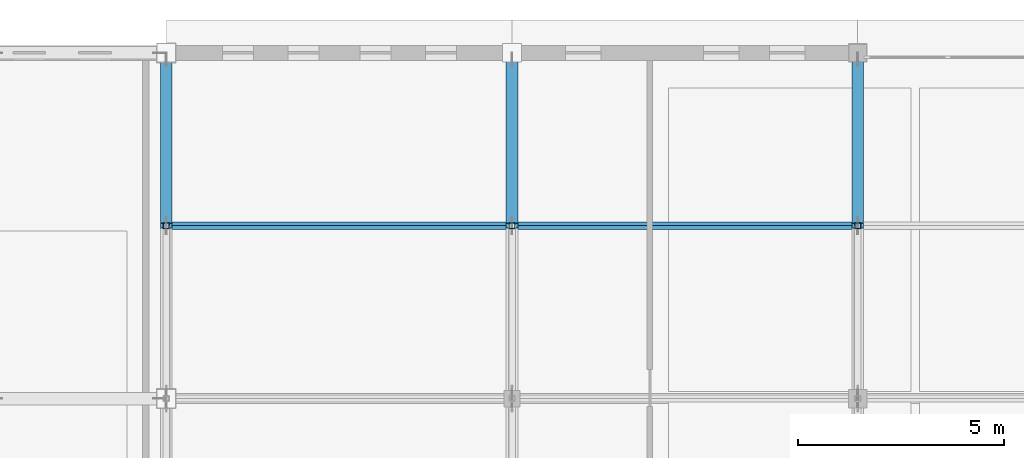
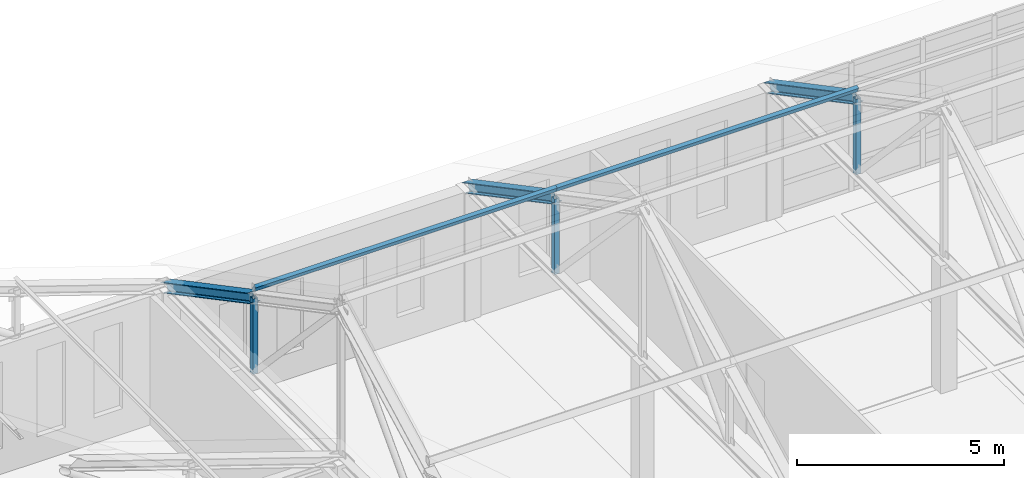
# One storey, part 25 of 56: 8 members.
"""IFC4 building model written with IfcOpenShell, lengths in metres."""

import ifcopenshell
import ifcopenshell.guid

model = None  # the IFC model being written
_history = None  # IfcOwnerHistory: only IFC2X3 demands one
_inside = {}  # id of a spatial element -> (the spatial element, [elements in it])
_under = {}  # id of a project, library or spatial element -> (it, [spatial elements below it])
_declared = {}  # id of a project -> (the project, [libraries it declares])
_typed = {}  # id of a type object -> (the type object, [elements of that type])
_made_of = {}  # id of a material, layer set ... -> (it, [elements and type objects made of it])


def new_model(schema):
    """Start an empty IFC model of exactly this schema.

    Asked for "IFC4X3", IfcOpenShell would pick the latest addendum, in which some entities
    have other attributes; the version numbers below select the first issue.
    IFC2X3 requires an IfcOwnerHistory on every rooted entity: one is made here for all.
    """
    global model, _history
    if schema == "IFC4X3":
        model = ifcopenshell.file(schema_version=(4, 3, 0, 0))
    else:
        model = ifcopenshell.file(schema=schema)
    _inside.clear()
    _under.clear()
    _declared.clear()
    _typed.clear()
    _made_of.clear()
    _history = None
    if model.schema == "IFC2X3":
        org = make("IfcOrganization", Name="unknown")
        user = make(
            "IfcPersonAndOrganization",
            ThePerson=make("IfcPerson", FamilyName="unknown"),
            TheOrganization=org,
        )
        app = make(
            "IfcApplication",
            ApplicationDeveloper=org,
            Version="unknown",
            ApplicationFullName="unknown",
            ApplicationIdentifier="unknown",
        )
        _history = make(
            "IfcOwnerHistory",
            OwningUser=user,
            OwningApplication=app,
            ChangeAction="ADDED",
            CreationDate=0,
        )
    return model


def make(cls, **values):
    """One entity of the class cls with the attributes given. An attribute that is None is left unset."""
    return model.create_entity(
        cls, **{name: value for name, value in values.items() if value is not None}
    )


def rooted(cls, **values):
    """An entity with a GlobalId (a new one), such as an element, a storey or a relation."""
    return make(cls, GlobalId=ifcopenshell.guid.new(), OwnerHistory=_history, **values)


def si_unit(unit_type, name, prefix=None):
    """IfcSIUnit, for example si_unit("LENGTHUNIT", "METRE", prefix="MILLI")."""
    return make("IfcSIUnit", UnitType=unit_type, Prefix=prefix, Name=name)


def assignment(units):
    """IfcUnitAssignment: the units of a project."""
    return None if units is None else make("IfcUnitAssignment", Units=units)


def point(xyz):
    """IfcCartesianPoint."""
    return None if xyz is None else make("IfcCartesianPoint", Coordinates=xyz)


def direction(xyz):
    """IfcDirection."""
    return None if xyz is None else make("IfcDirection", DirectionRatios=xyz)


def frame(location, z_axis=None, x_axis=None):
    """IfcAxis2Placement3D, a coordinate frame: its origin and axes. An axis left out is left unset."""
    return make(
        "IfcAxis2Placement3D",
        Location=point(location),
        Axis=direction(z_axis),
        RefDirection=direction(x_axis),
    )


def frame_2d(location, x_axis=None):
    """IfcAxis2Placement2D, a coordinate frame in the plane: its origin and x axis."""
    return make(
        "IfcAxis2Placement2D", Location=point(location), RefDirection=direction(x_axis)
    )


def origin():
    """The frame at (0, 0, 0) with its axes left unset."""
    return frame((0.0, 0.0, 0.0))


def origin_2d():
    """The frame at (0, 0) in the plane with its x axis left unset."""
    return frame_2d((0.0, 0.0))


def place(relative_to, where):
    """IfcLocalPlacement: puts the frame where relative to a parent placement (None: the world)."""
    return make(
        "IfcLocalPlacement", PlacementRelTo=relative_to, RelativePlacement=where
    )


def context(
    kind, dimensions, precision=None, world=None, true_north=None, identifier=None
):
    """IfcGeometricRepresentationContext, for example the 3D "Model" context."""
    return make(
        "IfcGeometricRepresentationContext",
        ContextIdentifier=identifier,
        ContextType=kind,
        CoordinateSpaceDimension=dimensions,
        Precision=precision,
        WorldCoordinateSystem=world,
        TrueNorth=true_north,
    )


def subcontext(parent, identifier, kind, view, scale=None):
    """IfcGeometricRepresentationSubContext, for example "Body" below "Model"."""
    return make(
        "IfcGeometricRepresentationSubContext",
        ContextIdentifier=identifier,
        ContextType=kind,
        ParentContext=parent,
        TargetScale=scale,
        TargetView=view,
    )


def project(units=None, contexts=None):
    """IfcProject with its units and contexts."""
    return rooted(
        "IfcProject",
        Name="project",
        RepresentationContexts=contexts,
        UnitsInContext=assignment(units),
    )


def spatial(cls, under=None, at=None, **own):
    """A site, building, storey or space (cls), placed at a placement, below another one or the project."""
    s = rooted(cls, ObjectPlacement=at, **own)
    if under is not None:
        _under.setdefault(under.id(), (under, []))[1].append(s)
    return s


def profile(cls, at=None, kind="AREA", **sizes):
    """A parametric profile (cls). Its sizes go by their IFC names, for example OverallWidth=200.0."""
    return make(cls, ProfileType=kind, Position=at, **sizes)


def hollow_rectangle(**sizes):
    """IfcRectangleHollowProfileDef."""
    return profile("IfcRectangleHollowProfileDef", **sizes)


def i_section(**sizes):
    """IfcIShapeProfileDef."""
    return profile("IfcIShapeProfileDef", **sizes)


def extrude(swept, where, along, depth):
    """IfcExtrudedAreaSolid: the profile swept, set in the frame where, extruded along a direction by depth."""
    return make(
        "IfcExtrudedAreaSolid",
        SweptArea=swept,
        Position=where,
        ExtrudedDirection=direction(along),
        Depth=depth,
    )


def shape(context_of_items, identifier, shape_type, items):
    """IfcShapeRepresentation: the items that make up one representation, for example the "Body"."""
    return make(
        "IfcShapeRepresentation",
        ContextOfItems=context_of_items,
        RepresentationIdentifier=identifier,
        RepresentationType=shape_type,
        Items=items,
    )


def material(Name=None, Category=None):
    """IfcMaterial."""
    return make("IfcMaterial", Name=Name, Category=Category)


def material_profile(
    of_material, cross_section, Name=None, Category=None, Priority=None
):
    """IfcMaterialProfile: a cross section and its material."""
    return make(
        "IfcMaterialProfile",
        Name=Name,
        Material=of_material,
        Profile=cross_section,
        Priority=Priority,
        Category=Category,
    )


def profile_set(profiles, Name=None, composite=None):
    """IfcMaterialProfileSet."""
    return make(
        "IfcMaterialProfileSet",
        Name=Name,
        MaterialProfiles=profiles,
        CompositeProfile=composite,
    )


def made_of(thing, what):
    """Note that an element or type object is made of a material, layer set ...; save() writes the relation."""
    if what is not None:
        _made_of.setdefault(what.id(), (what, []))[1].append(thing)
    return thing


def type_object(cls, material=None, **own):
    """A type object (cls), such as IfcWallType, which elements share."""
    return made_of(rooted(cls, **own), material)


def element(
    cls,
    number,
    at=None,
    inside=None,
    cuts=None,
    type_object=None,
    material=None,
    context=None,
    identifier="Body",
    shape_type=None,
    held_by="IfcProductDefinitionShape",
    body=None,
    shapes=None,
    **own,
):
    """One element of the class cls, such as IfcWall. Its Tag is "e" and its number.

    at: its placement. inside: the storey or other place that contains it. cuts: it is an
    opening in that element (IfcRelVoidsElement). A single representation is given by context,
    identifier, shape_type and body (its items); several are given by shapes. held_by: the class
    of the entity that holds the representations. save() writes the other relations.
    """
    e = rooted(cls, Tag="e%d" % number, ObjectPlacement=at, **own)
    if body is not None:
        shapes = [shape(context, identifier, shape_type, body)]
    if shapes is not None:
        e.Representation = make(held_by, Representations=shapes)
    if inside is not None:
        _inside.setdefault(inside.id(), (inside, []))[1].append(e)
    if cuts is not None:
        rooted(
            "IfcRelVoidsElement", RelatingBuildingElement=cuts, RelatedOpeningElement=e
        )
    if type_object is not None:
        _typed.setdefault(type_object.id(), (type_object, []))[1].append(e)
    return made_of(e, material)


def aggregate(whole, parts):
    """IfcRelAggregates: a whole, such as a stair, and the parts it consists of."""
    return rooted("IfcRelAggregates", RelatingObject=whole, RelatedObjects=parts)


def save(model, path):
    """Write the relations noted so far, then the file.

    IfcRelAggregates (storeys below a building ...), IfcRelContainedInSpatialStructure (elements
    in a storey), IfcRelDefinesByType, IfcRelAssociatesMaterial and IfcRelDeclares: one each for
    every whole, place, type object, material and project.
    """
    for whole, parts in _under.values():
        aggregate(whole, parts)
    for where, things in _inside.values():
        rooted(
            "IfcRelContainedInSpatialStructure",
            RelatedElements=things,
            RelatingStructure=where,
        )
    for kind, things in _typed.values():
        rooted("IfcRelDefinesByType", RelatedObjects=things, RelatingType=kind)
    for what, things in _made_of.values():
        rooted("IfcRelAssociatesMaterial", RelatedObjects=things, RelatingMaterial=what)
    for by, libraries in _declared.values():
        rooted("IfcRelDeclares", RelatingContext=by, RelatedDefinitions=libraries)
    model.write(path)


model = new_model("IFC4")

# Units and contexts
model_context = context("Model", 3, precision=1e-05, world=origin(), true_north=direction((0.0, 1.0)))
body_context = subcontext(model_context, "Body", "Model", "MODEL_VIEW")
ifc_project = project(units=[si_unit("LENGTHUNIT", "METRE"), si_unit("AREAUNIT", "SQUARE_METRE"), si_unit("VOLUMEUNIT", "CUBIC_METRE"), si_unit("PLANEANGLEUNIT", "RADIAN"), si_unit("MASSUNIT", "GRAM", prefix="KILO")], contexts=[model_context])

# Site, building, storey
site_placement = place(None, origin())
site = spatial("IfcSite", under=ifc_project, at=site_placement, CompositionType="ELEMENT")
building_placement = place(site_placement, origin())
building = spatial("IfcBuilding", under=site, at=building_placement, Name="Kveldsbrygga Polytechnic", CompositionType="ELEMENT")
storey_placement = place(building_placement, frame((0.0, 0.0, 18.02001953125)))
storey = spatial("IfcBuildingStorey", under=building, at=storey_placement, Name="L04", CompositionType="ELEMENT", Elevation=18.02001953125)

# Members
ifc_material = material(Name="Steel S355", Category="steel")
ifc_material_profile_1 = material_profile(ifc_material, hollow_rectangle(XDim=0.10009765625, YDim=0.179931640625, WallThickness=0.008056640625, at=origin_2d()), Name="RHS 180x100x8.0")
ifc_profile_set_1 = profile_set([ifc_material_profile_1], Name="Steel S355")
member_type_1 = type_object("IfcMemberType", Name="PRL-RHS180", PredefinedType="PURLIN", material=ifc_profile_set_1)
member_1_placement = place(storey_placement, frame((126.0, 113.39990234375, 6.265380859375), z_axis=(1.0, 0.0, 0.0), x_axis=(0.0, 0.883660254474, 0.468128779998)))
element("IfcMember", 1, at=member_1_placement, inside=storey, type_object=member_type_1, Name="Roof Purlin V4N5-PRL-1-3", PredefinedType="PURLIN", context=body_context, shape_type="SweptSolid", body=[
    extrude(hollow_rectangle(XDim=0.10009765625, YDim=0.179931640625, WallThickness=0.008056640625, at=origin_2d()), origin(), (0.0, 0.0, 1.0), 8.39990234375),
])
member_2_placement = place(storey_placement, frame((134.39990234375, 113.39990234375, 6.265380859375), z_axis=(1.0, 0.0, 0.0), x_axis=(0.0, 0.883660254474, 0.468128779998)))
element("IfcMember", 2, at=member_2_placement, inside=storey, type_object=member_type_1, Name="Roof Purlin V4N5-PRL-2-3", PredefinedType="PURLIN", context=body_context, shape_type="SweptSolid", body=[
    extrude(hollow_rectangle(XDim=0.10009765625, YDim=0.179931640625, WallThickness=0.008056640625, at=origin_2d()), origin(), (0.0, 0.0, 1.0), 8.400146484375),
])
ifc_material_profile_2 = material_profile(ifc_material, hollow_rectangle(XDim=0.139892578125, YDim=0.139892578125, WallThickness=0.008056640625, at=origin_2d()), Name="SHS 140x140x8.0")
ifc_profile_set_2 = profile_set([ifc_material_profile_2], Name="Steel S355")
member_type_2 = type_object("IfcMemberType", Name="TR-POST-SHS140", PredefinedType="STRUT", material=ifc_profile_set_2)
for number, where, z_axis, x_axis, name in (
    (3, (126.0, 113.39990234375, 3.780029296875), (0.0, 0.0, 1.0), (1.0, 0.0, 0.0), "Truss Vertical V4N5-T01-VT-3"),
    (4, (134.39990234375, 113.39990234375, 3.780029296875), (0.0, 0.0, 1.0), (1.0, 0.0, 0.0), "Truss Vertical V4N5-T02-VT-3"),
    (5, (142.800048828125, 113.39990234375, 3.780029296875), (0.0, 0.0, 1.0), (1.0, 0.0, 0.0), "Truss Vertical V4N5-T03-VT-3"),
):
    element("IfcMember", number, at=place(storey_placement, frame(where, z_axis=z_axis, x_axis=x_axis)), inside=storey, type_object=member_type_2, Name=name, PredefinedType="STRUT", context=body_context, shape_type="SweptSolid", body=[
        extrude(hollow_rectangle(XDim=0.139892578125, YDim=0.139892578125, WallThickness=0.008056640625, at=origin_2d()), origin(), (0.0, 0.0, 1.0), 2.224853515625),
    ])
ifc_material_profile_3 = material_profile(ifc_material, i_section(OverallWidth=0.280029296875, OverallDepth=0.280029296875, WebThickness=0.010498046875, FlangeThickness=0.01806640625, FilletRadius=0.02392578125, at=origin_2d()), Name="HEB 280")
ifc_profile_set_3 = profile_set([ifc_material_profile_3], Name="Steel S355")
member_type_3 = type_object("IfcMemberType", Name="TR-TOP-HEB280", PredefinedType="CHORD", material=ifc_profile_set_3)
for number, where, z_axis, x_axis, name in (
    (6, (126.0, 113.39990234375, 6.0048828125), (0.0, 0.883681693185, -0.468088309114), (-1.0, 0.0, 0.0), "Truss Top Chord V4N5-T01-TC-4"),
    (7, (134.39990234375, 113.39990234375, 6.0048828125), (0.0, 0.883681693185, -0.468088309114), (-1.0, 0.0, 0.0), "Truss Top Chord V4N5-T02-TC-4"),
    (8, (142.800048828125, 113.39990234375, 6.0048828125), (0.0, 0.883681693185, -0.468088309114), (-1.0, 0.0, 0.0), "Truss Top Chord V4N5-T03-TC-4"),
):
    element("IfcMember", number, at=place(storey_placement, frame(where, z_axis=z_axis, x_axis=x_axis)), inside=storey, type_object=member_type_3, Name=name, PredefinedType="CHORD", context=body_context, shape_type="SweptSolid", body=[
        extrude(i_section(OverallWidth=0.280029296875, OverallDepth=0.280029296875, WebThickness=0.010498046875, FlangeThickness=0.01806640625, FilletRadius=0.02392578125, at=origin_2d()), origin(), (0.0, 0.0, 1.0), 4.753173828125),
    ])

save(model, "model.ifc")
